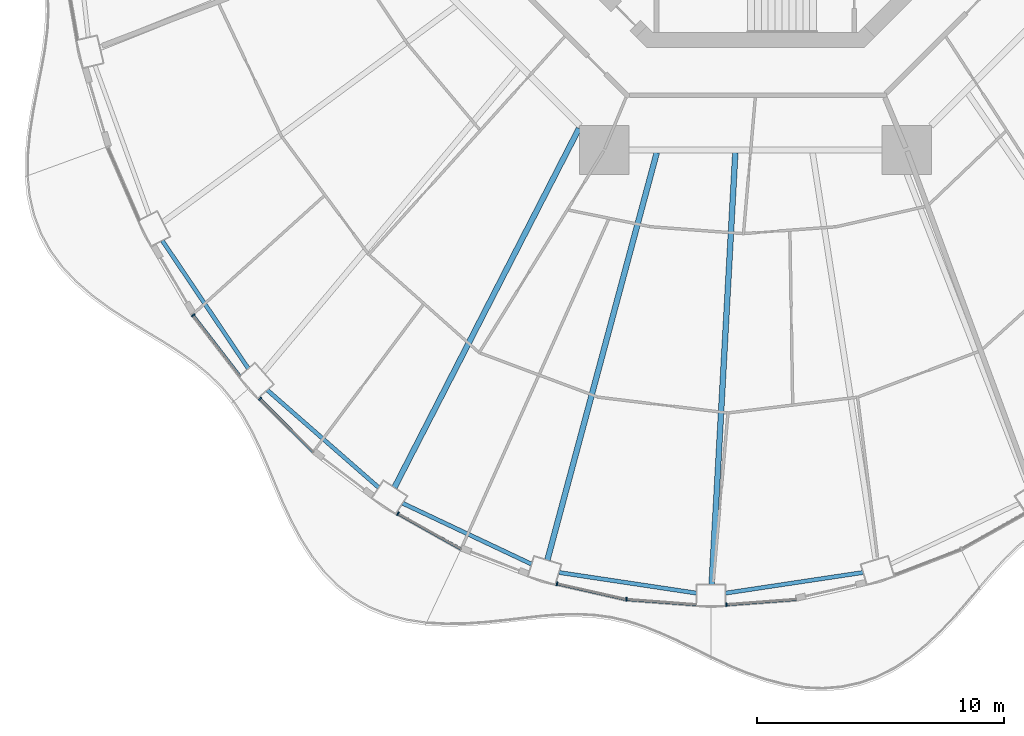
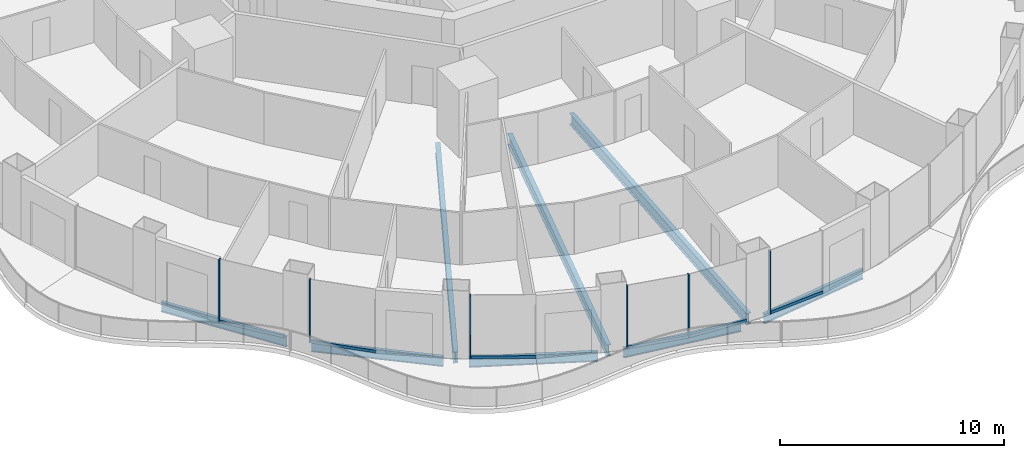
# One storey, part 2 of 20: 12 members, 8 beams, 6 elements without a shape of their own.
"""IFC4 building model written with IfcOpenShell, lengths in metres."""

from ifc_helpers import new_model, si_unit, direction, frame, origin, origin_2d, place, context, subcontext, project, spatial, rectangle, i_section, extrude, material, layer, layer_set, material_profile, profile_set, type_object, element, aggregate, save


model = new_model("IFC4")

# Units and contexts
model_context = context("Model", 3, precision=1e-05, world=origin(), true_north=direction((0.0, 1.0)))
body_context = subcontext(model_context, "Body", "Model", "MODEL_VIEW")
ifc_project = project(units=[si_unit("LENGTHUNIT", "METRE"), si_unit("AREAUNIT", "SQUARE_METRE"), si_unit("VOLUMEUNIT", "CUBIC_METRE"), si_unit("PLANEANGLEUNIT", "RADIAN"), si_unit("MASSUNIT", "GRAM", prefix="KILO")], contexts=[model_context])

# Site, building, storey
site_placement = place(None, origin())
site = spatial("IfcSite", under=ifc_project, at=site_placement, CompositionType="ELEMENT")
building_placement = place(site_placement, origin())
building = spatial("IfcBuilding", under=site, at=building_placement, Name="Nagisa Residences", CompositionType="ELEMENT")
storey_placement = place(building_placement, frame((0.0, 0.0, 152.89990234375)))
storey = spatial("IfcBuildingStorey", under=building, at=storey_placement, Name="L38", CompositionType="ELEMENT", Elevation=152.89990234375)

# Curtain wall, member
ifc_material_1 = material(Name="Concrete-coloured aluminium curtain wall system", Category="concrete")
ifc_layer = layer(ifc_material_1, 0.159912109375)
ifc_layer_set = layer_set([ifc_layer], Name="CW1 CURTAIN WALL")
curtain_wall_type = type_object("IfcCurtainWallType", Name="CW1 CURTAIN WALL", PredefinedType="NOTDEFINED", material=ifc_layer_set)
curtain_wall_1_placement = place(storey_placement, origin())
curtain_wall_1 = element("IfcCurtainWall", 1, at=curtain_wall_1_placement, inside=storey, type_object=curtain_wall_type, Name="cw:CW1:L38:29", PredefinedType="NOTDEFINED")
ifc_material_2 = material(Name="Concrete-coloured aluminium", Category="concrete")
ifc_material_profile_1 = material_profile(ifc_material_2, rectangle(XDim=0.159912109375, YDim=0.06005859375, at=origin_2d()), Name="CW1 MULLION 160x60")
ifc_profile_set_1 = profile_set([ifc_material_profile_1], Name="Concrete-coloured aluminium")
member_type_1 = type_object("IfcMemberType", Name="CW1 MULLION 160x60", PredefinedType="MULLION", material=ifc_profile_set_1)
member_1_placement = place(storey_placement, frame((-22.77001953125, -21.47412109375, 0.0), z_axis=(0.0, 0.0, 1.0), x_axis=(0.792070340816, 0.610429828235, 0.0)))
member_1 = element("IfcMember", 2, at=member_1_placement, type_object=member_type_1, Name="CW1 mullion", PredefinedType="MULLION", context=body_context, shape_type="SweptSolid", body=[
    extrude(rectangle(XDim=0.159912109375, YDim=0.06005859375, at=origin_2d()), origin(), (0.0, 0.0, 1.0), 3.440185546875),
])

curtain_wall_2_placement = place(storey_placement, origin())
curtain_wall_2 = element("IfcCurtainWall", 3, at=curtain_wall_2_placement, inside=storey, type_object=curtain_wall_type, Name="cw:CW1:L38:30", PredefinedType="NOTDEFINED")
member_2_placement = place(storey_placement, frame((-20.060546875, -24.857177734375, 0.0), z_axis=(0.0, 0.0, 1.0), x_axis=(0.706376885714, 0.707835924016, 0.0)))
member_2 = element("IfcMember", 4, at=member_2_placement, type_object=member_type_1, Name="CW1 mullion", PredefinedType="MULLION", context=body_context, shape_type="SweptSolid", body=[
    extrude(rectangle(XDim=0.159912109375, YDim=0.06005859375, at=origin_2d()), origin(), (0.0, 0.0, 1.0), 3.440185546875),
])

curtain_wall_3_placement = place(storey_placement, origin())
curtain_wall_3 = element("IfcCurtainWall", 5, at=curtain_wall_3_placement, inside=storey, type_object=curtain_wall_type, Name="cw:CW1:L38:32", PredefinedType="NOTDEFINED")
member_3_placement = place(storey_placement, frame((-14.47900390625, -29.505859375, 0.0), z_axis=(0.0, 0.0, 1.0), x_axis=(0.489376918501, 0.872072377523, 0.0)))
member_3 = element("IfcMember", 6, at=member_3_placement, type_object=member_type_1, Name="CW1 mullion", PredefinedType="MULLION", context=body_context, shape_type="SweptSolid", body=[
    extrude(rectangle(XDim=0.159912109375, YDim=0.06005859375, at=origin_2d()), origin(), (0.0, 0.0, 1.0), 3.440185546875),
])

curtain_wall_4_placement = place(storey_placement, origin())
curtain_wall_4 = element("IfcCurtainWall", 7, at=curtain_wall_4_placement, inside=storey, type_object=curtain_wall_type, Name="cw:CW1:L38:34", PredefinedType="NOTDEFINED")
member_4_placement = place(storey_placement, frame((-8.03564453125, -32.344970703125, 0.0), z_axis=(0.0, 0.0, 1.0), x_axis=(0.2207639201, 0.975327274089, 0.0)))
member_4 = element("IfcMember", 8, at=member_4_placement, type_object=member_type_1, Name="CW1 mullion", PredefinedType="MULLION", context=body_context, shape_type="SweptSolid", body=[
    extrude(rectangle(XDim=0.159912109375, YDim=0.06005859375, at=origin_2d()), origin(), (0.0, 0.0, 1.0), 3.440185546875),
])

curtain_wall_5_placement = place(storey_placement, origin())
curtain_wall_5 = element("IfcCurtainWall", 9, at=curtain_wall_5_placement, inside=storey, type_object=curtain_wall_type, Name="cw:CW1:L38:35", PredefinedType="NOTDEFINED")
member_5_placement = place(storey_placement, frame((-5.2275390625, -32.976806640625, 0.0), z_axis=(0.0, 0.0, 1.0), x_axis=(0.074377355493, 0.997230168512, 0.0)))
member_5 = element("IfcMember", 10, at=member_5_placement, type_object=member_type_1, Name="CW1 mullion", PredefinedType="MULLION", context=body_context, shape_type="SweptSolid", body=[
    extrude(rectangle(XDim=0.159912109375, YDim=0.06005859375, at=origin_2d()), origin(), (0.0, 0.0, 1.0), 3.440185546875),
])

curtain_wall_6_placement = place(storey_placement, origin())
curtain_wall_6 = element("IfcCurtainWall", 11, at=curtain_wall_6_placement, inside=storey, type_object=curtain_wall_type, Name="cw:CW1:L38:36", PredefinedType="NOTDEFINED")
member_6_placement = place(storey_placement, frame((-1.177734375, -33.18603515625, 0.0), z_axis=(0.0, 0.0, 1.0), x_axis=(-0.074377355493, 0.997230168512, 0.0)))
member_6 = element("IfcMember", 12, at=member_6_placement, type_object=member_type_1, Name="CW1 mullion", PredefinedType="MULLION", context=body_context, shape_type="SweptSolid", body=[
    extrude(rectangle(XDim=0.159912109375, YDim=0.06005859375, at=origin_2d()), origin(), (0.0, 0.0, 1.0), 3.440185546875),
])

# Member
ifc_material_3 = material(Name="Concrete-coloured aluminium", Category="concrete")
ifc_material_profile_2 = material_profile(ifc_material_3, rectangle(XDim=0.1201171875, YDim=0.14990234375, at=origin_2d()), Name="CW1 TRANSOM 120x150")
ifc_profile_set_2 = profile_set([ifc_material_profile_2], Name="Concrete-coloured aluminium")
member_type_2 = type_object("IfcMemberType", Name="CW1 TRANSOM 120x150", PredefinedType="USERDEFINED", material=ifc_profile_set_2)
member_7_placement = place(storey_placement, frame((-22.788330078125, -21.450439453125, 0.0751953125), z_axis=(0.610429847179, -0.792070326217, 0.0), x_axis=(0.792070326217, 0.610429847179, 0.0)))
member_7 = element("IfcMember", 13, at=member_7_placement, type_object=member_type_2, Name="CW1 transom", ObjectType="TRANSOM", PredefinedType="USERDEFINED", context=body_context, shape_type="SweptSolid", body=[
    extrude(rectangle(XDim=0.1201171875, YDim=0.14990234375, at=origin_2d()), origin(), (0.0, 0.0, 1.0), 3.149169921875),
])

aggregate(curtain_wall_1, [member_1, member_7])

member_8_placement = place(storey_placement, frame((-20.081787109375, -24.8359375, 0.0751953125), z_axis=(0.707818274975, -0.706394570768, 0.0), x_axis=(0.706394570768, 0.707818274975, 0.0)))
member_8 = element("IfcMember", 14, at=member_8_placement, type_object=member_type_2, Name="CW1 transom", ObjectType="TRANSOM", PredefinedType="USERDEFINED", context=body_context, shape_type="SweptSolid", body=[
    extrude(rectangle(XDim=0.1201171875, YDim=0.14990234375, at=origin_2d()), origin(), (0.0, 0.0, 1.0), 3.086669921875),
])

aggregate(curtain_wall_2, [member_2, member_8])

member_9_placement = place(storey_placement, frame((-14.505126953125, -29.4912109375, 0.0751953125), z_axis=(0.87206688547, -0.489386705241, 0.0), x_axis=(0.489386705241, 0.87206688547, 0.0)))
member_9 = element("IfcMember", 15, at=member_9_placement, type_object=member_type_2, Name="CW1 transom", ObjectType="TRANSOM", PredefinedType="USERDEFINED", context=body_context, shape_type="SweptSolid", body=[
    extrude(rectangle(XDim=0.1201171875, YDim=0.14990234375, at=origin_2d()), origin(), (0.0, 0.0, 1.0), 2.9697265625),
])

aggregate(curtain_wall_3, [member_3, member_9])

member_10_placement = place(storey_placement, frame((-8.06494140625, -32.338134765625, 0.0751953125), z_axis=(0.975320849653, -0.220792301117, 0.0), x_axis=(0.220792301117, 0.975320849653, 0.0)))
member_10 = element("IfcMember", 16, at=member_10_placement, type_object=member_type_2, Name="CW1 transom", ObjectType="TRANSOM", PredefinedType="USERDEFINED", context=body_context, shape_type="SweptSolid", body=[
    extrude(rectangle(XDim=0.1201171875, YDim=0.14990234375, at=origin_2d()), origin(), (0.0, 0.0, 1.0), 2.890380859375),
])

aggregate(curtain_wall_4, [member_4, member_10])

member_11_placement = place(storey_placement, frame((-5.257568359375, -32.974609375, 0.0751953125), z_axis=(0.997232166829, -0.074350557769, 0.0), x_axis=(0.074350557769, 0.997232166829, 0.0)))
member_11 = element("IfcMember", 17, at=member_11_placement, type_object=member_type_2, Name="CW1 transom", ObjectType="TRANSOM", PredefinedType="USERDEFINED", context=body_context, shape_type="SweptSolid", body=[
    extrude(rectangle(XDim=0.1201171875, YDim=0.14990234375, at=origin_2d()), origin(), (0.0, 0.0, 1.0), 2.873291015625),
])

aggregate(curtain_wall_5, [member_5, member_11])

member_12_placement = place(storey_placement, frame((-1.20751953125, -33.188232421875, 0.0751953125), z_axis=(0.997231697044, 0.074356858535, 0.0), x_axis=(-0.074356858535, 0.997231697044, 0.0)))
member_12 = element("IfcMember", 18, at=member_12_placement, type_object=member_type_2, Name="CW1 transom", ObjectType="TRANSOM", PredefinedType="USERDEFINED", context=body_context, shape_type="SweptSolid", body=[
    extrude(rectangle(XDim=0.1201171875, YDim=0.14990234375, at=origin_2d()), origin(), (0.0, 0.0, 1.0), 2.873046875),
])

aggregate(curtain_wall_6, [member_6, member_12])

# Beams
ifc_material_4 = material(Name="Steel ASTM A572 Gr 50", Category="steel")
ifc_material_profile_3 = material_profile(ifc_material_4, i_section(OverallWidth=0.166015625, OverallDepth=0.534912109375, WebThickness=0.01025390625, FlangeThickness=0.0166015625, at=origin_2d()), Name="W530x85")
ifc_profile_set_3 = profile_set([ifc_material_profile_3], Name="Steel ASTM A572 Gr 50")
beam_type_1 = type_object("IfcBeamType", Name="Perimeter ring beam W530x85", PredefinedType="BEAM", material=ifc_profile_set_3)
beam_1_placement = place(storey_placement, frame((-24.020751953125, -18.4501953125, -0.52734375), z_axis=(0.558187951157, -0.82971453596, 0.0), x_axis=(0.82971453596, 0.558187951157, 0.0)))
element("IfcBeam", 19, at=beam_1_placement, inside=storey, type_object=beam_type_1, Name="beam:L38:pb15", PredefinedType="BEAM", context=body_context, shape_type="SweptSolid", body=[
    extrude(i_section(OverallWidth=0.166015625, OverallDepth=0.534912109375, WebThickness=0.01025390625, FlangeThickness=0.0166015625, at=origin_2d()), origin(), (0.0, 0.0, 1.0), 6.24267578125),
])
beam_2_placement = place(storey_placement, frame((-19.769287109375, -24.500732421875, -0.52734375), z_axis=(0.75252371036, -0.658565156493, 0.0), x_axis=(0.658565156493, 0.75252371036, 0.0)))
element("IfcBeam", 20, at=beam_2_placement, inside=storey, type_object=beam_type_1, Name="beam:L38:pb16", PredefinedType="BEAM", context=body_context, shape_type="SweptSolid", body=[
    extrude(i_section(OverallWidth=0.166015625, OverallDepth=0.534912109375, WebThickness=0.01025390625, FlangeThickness=0.0166015625, at=origin_2d()), origin(), (0.0, 0.0, 1.0), 5.994384765625),
])
beam_3_placement = place(storey_placement, frame((-14.287841796875, -29.084716796875, -0.52734375), z_axis=(0.904186034847, -0.427138870143, 0.0), x_axis=(0.427138870143, 0.904186034847, 0.0)))
element("IfcBeam", 21, at=beam_3_placement, inside=storey, type_object=beam_type_1, Name="beam:L38:pb17", PredefinedType="BEAM", context=body_context, shape_type="SweptSolid", body=[
    extrude(i_section(OverallWidth=0.166015625, OverallDepth=0.534912109375, WebThickness=0.01025390625, FlangeThickness=0.0166015625, at=origin_2d()), origin(), (0.0, 0.0, 1.0), 5.772216796875),
])
for number, where, z_axis, x_axis, name in (
    (22, (-7.958251953125, -31.887939453125, -0.52734375), (0.9889122118, -0.148501304214, 0.0), (0.148501304214, 0.9889122118, 0.0), "beam:L38:pb18"),
    (23, (-1.2197265625, -32.7255859375, -0.52734375), (0.9889122118, 0.148501304214, 0.0), (-0.148501304214, 0.9889122118, 0.0), "beam:L38:pb19"),
):
    element("IfcBeam", number, at=place(storey_placement, frame(where, z_axis=z_axis, x_axis=x_axis)), inside=storey, type_object=beam_type_1, Name=name, PredefinedType="BEAM", context=body_context, shape_type="SweptSolid", body=[
        extrude(i_section(OverallWidth=0.166015625, OverallDepth=0.534912109375, WebThickness=0.01025390625, FlangeThickness=0.0166015625, at=origin_2d()), origin(), (0.0, 0.0, 1.0), 5.640625),
    ])
ifc_material_5 = material(Name="Steel ASTM A572 Gr 50", Category="steel")
ifc_material_profile_4 = material_profile(ifc_material_5, i_section(OverallWidth=0.22900390625, OverallDepth=0.612060546875, WebThickness=0.011962890625, FlangeThickness=0.01953125, at=origin_2d()), Name="W610x125")
ifc_profile_set_4 = profile_set([ifc_material_profile_4], Name="Steel ASTM A572 Gr 50")
beam_type_2 = type_object("IfcBeamType", Name="Radial beam W610x125", PredefinedType="BEAM", material=ifc_profile_set_4)
beam_4_placement = place(storey_placement, frame((-14.619873046875, -28.449462890625, -0.56591796875), z_axis=(0.457072968779, 0.889429199662, 0.0), x_axis=(-0.889429199662, 0.457072968779, 0.0)))
element("IfcBeam", 24, at=beam_4_placement, inside=storey, type_object=beam_type_2, Name="beam:L38:rb17", PredefinedType="BEAM", context=body_context, shape_type="SweptSolid", body=[
    extrude(i_section(OverallWidth=0.22900390625, OverallDepth=0.612060546875, WebThickness=0.011962890625, FlangeThickness=0.01953125, at=origin_2d()), origin(), (0.0, 0.0, 1.0), 16.347412109375),
])
beam_5_placement = place(storey_placement, frame((-8.4267578125, -31.38525390625, -0.56591796875), z_axis=(0.25930906211, 0.965794393392, 0.0), x_axis=(-0.965794393392, 0.25930906211, 0.0)))
element("IfcBeam", 25, at=beam_5_placement, inside=storey, type_object=beam_type_2, Name="beam:L38:rb18", PredefinedType="BEAM", context=body_context, shape_type="SweptSolid", body=[
    extrude(i_section(OverallWidth=0.22900390625, OverallDepth=0.612060546875, WebThickness=0.011962890625, FlangeThickness=0.01953125, at=origin_2d()), origin(), (0.0, 0.0, 1.0), 17.079833984375),
])
beam_6_placement = place(storey_placement, frame((-1.7763671875, -32.382568359375, -0.56591796875), z_axis=(0.054779249477, 0.998498489647, 0.0), x_axis=(-0.998498489647, 0.054779249477, 0.0)))
element("IfcBeam", 26, at=beam_6_placement, inside=storey, type_object=beam_type_2, Name="beam:L38:rb19", PredefinedType="BEAM", context=body_context, shape_type="SweptSolid", body=[
    extrude(i_section(OverallWidth=0.22900390625, OverallDepth=0.612060546875, WebThickness=0.011962890625, FlangeThickness=0.01953125, at=origin_2d()), origin(), (0.0, 0.0, 1.0), 17.519775390625),
])

save(model, "model.ifc")
